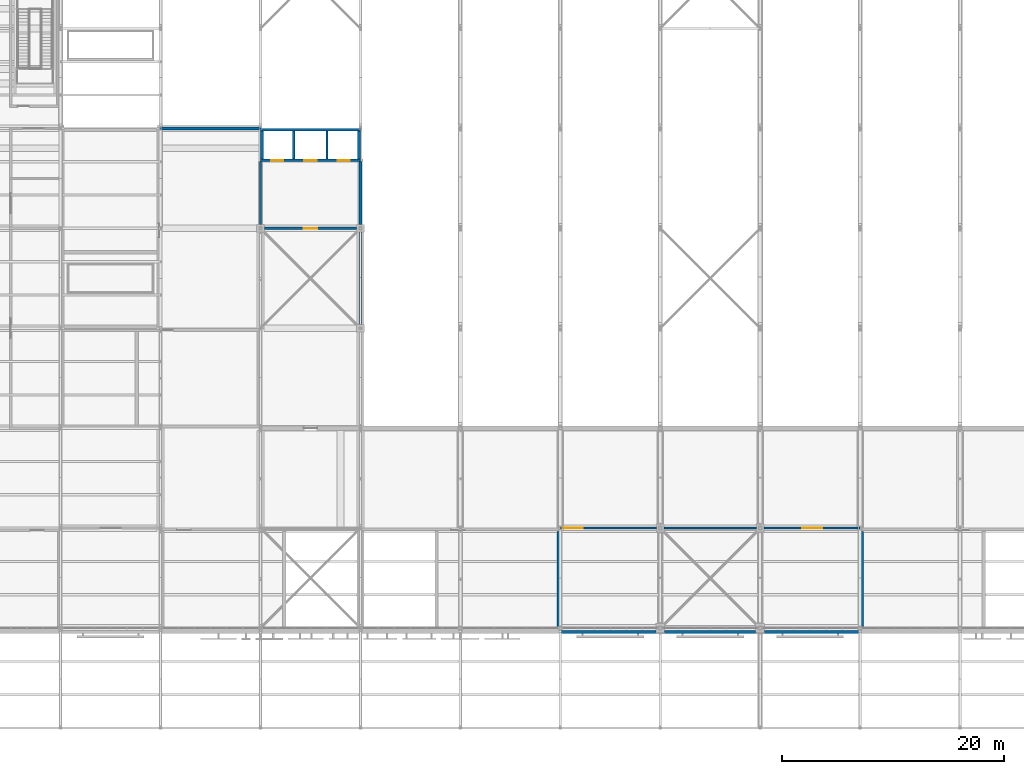
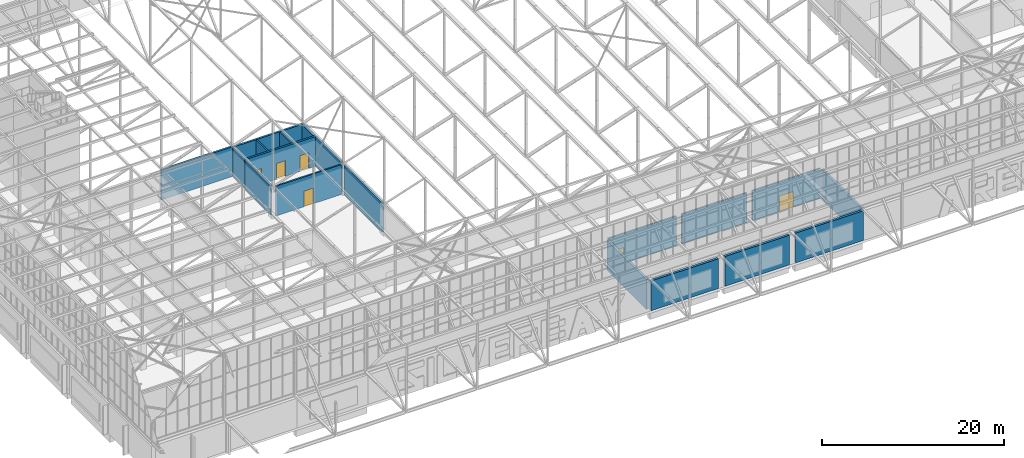
# One storey, part 166 of 646: 19 walls, 6 doors, 6 openings.
"""IFC4 building model written with IfcOpenShell, lengths in metres."""

from ifc_helpers import new_model, si_unit, direction, frame, frame_2d, origin, place, context, subcontext, project, spatial, rectangle, extrude, material, layer, layer_set, type_object, element, fill, save


model = new_model("IFC4")

# Units and contexts
model_context = context("Model", 3, precision=1e-05, world=origin(), true_north=direction((0.0, 1.0)))
body_context = subcontext(model_context, "Body", "Model", "MODEL_VIEW")
ifc_project = project(units=[si_unit("LENGTHUNIT", "METRE"), si_unit("AREAUNIT", "SQUARE_METRE"), si_unit("VOLUMEUNIT", "CUBIC_METRE"), si_unit("PLANEANGLEUNIT", "RADIAN"), si_unit("MASSUNIT", "GRAM", prefix="KILO")], contexts=[model_context])

# Site, building, storey
site_placement = place(None, origin())
site = spatial("IfcSite", under=ifc_project, at=site_placement, CompositionType="ELEMENT")
building_placement = place(site_placement, origin())
building = spatial("IfcBuilding", under=site, at=building_placement, Name="Silverbay Arena", CompositionType="ELEMENT")
storey_placement = place(building_placement, frame((0.0, 0.0, 33.5)))
storey = spatial("IfcBuildingStorey", under=building, at=storey_placement, Name="L05", CompositionType="ELEMENT", Elevation=33.5)

# Walls
ifc_material_1 = material(Name="Anodised aluminium cladding on insulated backing", Category="aluminium")
ifc_layer_1 = layer(ifc_material_1, 0.300048828125)
ifc_layer_set_1 = layer_set([ifc_layer_1], Name="Anodised aluminium cladding on insulated backing")
wall_type_1 = type_object("IfcWallType", Name="Aluminium clad wall 300 EI 120", PredefinedType="SOLIDWALL", material=ifc_layer_set_1)
wall_1_placement = place(storey_placement, frame((117.0, 17.64990234375, 0.0), z_axis=(0.0, 0.0, 1.0), x_axis=(1.0, 0.0, 0.0)))
element("IfcWall", 1, at=wall_1_placement, inside=storey, type_object=wall_type_1, Name="South external wall L05 bay 8", PredefinedType="SOLIDWALL", context=body_context, shape_type="SweptSolid", body=[
    extrude(rectangle(XDim=8.60009765625, YDim=0.300048828125, at=frame_2d((4.300048828125, 0.0))), origin(), (0.0, 0.0, 1.0), 4.0),
])
wall_2_placement = place(storey_placement, frame((126.39990234375, 17.64990234375, 0.0), z_axis=(0.0, 0.0, 1.0), x_axis=(1.0, 0.0, 0.0)))
element("IfcWall", 2, at=wall_2_placement, inside=storey, type_object=wall_type_1, Name="South external wall L05 bay 9", PredefinedType="SOLIDWALL", context=body_context, shape_type="SweptSolid", body=[
    extrude(rectangle(XDim=8.2001953125, YDim=0.300048828125, at=frame_2d((4.10009765625, 0.0))), origin(), (0.0, 0.0, 1.0), 4.0),
])
wall_3_placement = place(storey_placement, frame((135.39990234375, 17.64990234375, 0.0), z_axis=(0.0, 0.0, 1.0), x_axis=(1.0, 0.0, 0.0)))
element("IfcWall", 3, at=wall_3_placement, inside=storey, type_object=wall_type_1, Name="South external wall L05 bay 10", PredefinedType="SOLIDWALL", context=body_context, shape_type="SweptSolid", body=[
    extrude(rectangle(XDim=8.60009765625, YDim=0.300048828125, at=frame_2d((4.300048828125, 0.0))), origin(), (0.0, 0.0, 1.0), 4.0),
])
ifc_material_2 = material(Name="Concrete Grade C45", Category="concrete")
ifc_layer_2 = layer(ifc_material_2, 0.25)
ifc_layer_set_2 = layer_set([ifc_layer_2], Name="Concrete Grade C45")
wall_type_2 = type_object("IfcWallType", Name="Bowl enclosure wall RC 250 EI 120", PredefinedType="SOLIDWALL", material=ifc_layer_set_2)
wall_4_placement = place(storey_placement, frame((99.0, 45.35009765625, 0.0), z_axis=(0.0, 0.0, 1.0), x_axis=(0.0, 1.0, 0.0)))
element("IfcWall", 4, at=wall_4_placement, inside=storey, type_object=wall_type_2, Name="Bowl enclosure wall, corner block SW-x", PredefinedType="SOLIDWALL", context=body_context, shape_type="SweptSolid", body=[
    extrude(rectangle(XDim=8.2998046875, YDim=0.25, at=frame_2d((4.14990234375, 0.0))), origin(), (0.0, 0.0, 1.0), 4.0),
])
wall_5_placement = place(storey_placement, frame((99.0, 54.35009765625, 0.0), z_axis=(0.0, 0.0, 1.0), x_axis=(0.0, 1.0, 0.0)))
element("IfcWall", 5, at=wall_5_placement, inside=storey, type_object=wall_type_2, Name="Bowl enclosure wall, corner block SW-x", PredefinedType="SOLIDWALL", context=body_context, shape_type="SweptSolid", body=[
    extrude(rectangle(XDim=5.64990234375, YDim=0.25, at=frame_2d((2.824951171875, 0.0))), origin(), (0.0, 0.0, 1.0), 4.0),
])
wall_6_placement = place(storey_placement, frame((81.0, 63.0, 0.0), z_axis=(0.0, 0.0, 1.0), x_axis=(1.0, 0.0, 0.0)))
element("IfcWall", 6, at=wall_6_placement, inside=storey, type_object=wall_type_2, Name="Bowl enclosure wall, corner block SW-y", PredefinedType="SOLIDWALL", context=body_context, shape_type="SweptSolid", body=[
    extrude(rectangle(XDim=9.0, YDim=0.25, at=frame_2d((4.5, 0.0))), origin(), (0.0, 0.0, 1.0), 4.0),
])
ifc_material_3 = material(Name="Concrete Grade C45", Category="concrete")
ifc_layer_3 = layer(ifc_material_3, 0.300048828125)
ifc_layer_set_3 = layer_set([ifc_layer_3], Name="Concrete Grade C45")
wall_type_3 = type_object("IfcWallType", Name="Core wall RC 300 EI 120", PredefinedType="SHEAR", material=ifc_layer_set_3)
for number, where, z_axis, x_axis, name in (
    (7, (116.85009765625, 26.699951171875, 0.0), (0.0, 0.0, 1.0), (0.0, -1.0, 0.0), "Core wall ST-S2 L05 end 1"),
    (8, (144.14990234375, 26.699951171875, 0.0), (0.0, 0.0, 1.0), (0.0, -1.0, 0.0), "Core wall ST-S3 L05 end 1"),
):
    element("IfcWall", number, at=place(storey_placement, frame(where, z_axis=z_axis, x_axis=x_axis)), inside=storey, type_object=wall_type_3, Name=name, PredefinedType="SHEAR", context=body_context, shape_type="SweptSolid", body=[
        extrude(rectangle(XDim=8.699951171875, YDim=0.300048828125, at=frame_2d((4.35009765625, 0.0))), origin(), (0.0, 0.0, 1.0), 4.0),
    ])
ifc_material_4 = material(Name="Concrete Grade C45", Category="concrete")
ifc_layer_4 = layer(ifc_material_4, 0.199951171875)
ifc_layer_set_4 = layer_set([ifc_layer_4], Name="Concrete Grade C45")
wall_type_4 = type_object("IfcWallType", Name="Lift shaft divider RC 200 EI 120", PredefinedType="SHEAR", material=ifc_layer_set_4)
for number, where, z_axis, x_axis, name in (
    (9, (93.0, 60.25, 0.0), (0.0, 0.0, 1.0), (0.0, 1.0, 0.0), "Lift shaft divider LB-SW L05 1"),
    (10, (96.0, 60.25, 0.0), (0.0, 0.0, 1.0), (0.0, 1.0, 0.0), "Lift shaft divider LB-SW L05 2"),
):
    element("IfcWall", number, at=place(storey_placement, frame(where, z_axis=z_axis, x_axis=x_axis)), inside=storey, type_object=wall_type_4, Name=name, PredefinedType="SHEAR", context=body_context, shape_type="SweptSolid", body=[
        extrude(rectangle(XDim=2.5, YDim=0.199951171875, at=frame_2d((1.25, 0.0))), origin(), (0.0, 0.0, 1.0), 4.0),
    ])

# Wall, openings, doors
ifc_material_5 = material(Name="Concrete Grade C45", Category="concrete")
ifc_layer_5 = layer(ifc_material_5, 0.25)
ifc_layer_set_5 = layer_set([ifc_layer_5], Name="Concrete Grade C45")
wall_type_5 = type_object("IfcWallType", Name="Lift shaft wall RC 250 EI 120", PredefinedType="SHEAR", material=ifc_layer_set_5)
wall_7_placement = place(storey_placement, frame((90.0, 60.125, 0.0), z_axis=(0.0, 0.0, 1.0), x_axis=(1.0, 0.0, 0.0)))
wall_7 = element("IfcWall", 11, at=wall_7_placement, inside=storey, type_object=wall_type_5, Name="Lift shaft wall LB-SW L05 landing side", PredefinedType="SHEAR", context=body_context, shape_type="SweptSolid", body=[
    extrude(rectangle(XDim=9.0, YDim=0.25, at=frame_2d((4.5, 0.0))), origin(), (0.0, 0.0, 1.0), 4.0),
])
opening_1_placement = place(wall_7_placement, frame((0.949951171875, 0.0, 0.0)))
opening_1 = element("IfcOpeningElement", 12, at=opening_1_placement, cuts=wall_7, Name="Opening L05-051", PredefinedType="OPENING", context=body_context, shape_type="SweptSolid", body=[
    extrude(rectangle(XDim=1.10009765625, YDim=2.10009765625, at=frame_2d((0.550048828125, 1.050048828125))), frame((0.0, 0.135009765625, 0.0), z_axis=(0.0, -1.0, 0.0), x_axis=(1.0, 0.0, 0.0)), (0.0, 0.0, 1.0), 0.27001953125),
])
opening_2_placement = place(wall_7_placement, frame((3.949951171875, 0.0, 0.0)))
opening_2 = element("IfcOpeningElement", 13, at=opening_2_placement, cuts=wall_7, Name="Opening L05-052", PredefinedType="OPENING", context=body_context, shape_type="SweptSolid", body=[
    extrude(rectangle(XDim=1.10009765625, YDim=2.10009765625, at=frame_2d((0.550048828125, 1.050048828125))), frame((0.0, 0.135009765625, 0.0), z_axis=(0.0, -1.0, 0.0), x_axis=(1.0, 0.0, 0.0)), (0.0, 0.0, 1.0), 0.27001953125),
])
opening_3_placement = place(wall_7_placement, frame((6.949951171875, 0.0, 0.0)))
opening_3 = element("IfcOpeningElement", 14, at=opening_3_placement, cuts=wall_7, Name="Opening L05-053", PredefinedType="OPENING", context=body_context, shape_type="SweptSolid", body=[
    extrude(rectangle(XDim=1.10009765625, YDim=2.10009765625, at=frame_2d((0.550048828125, 1.050048828125))), frame((0.0, 0.135009765625, 0.0), z_axis=(0.0, -1.0, 0.0), x_axis=(1.0, 0.0, 0.0)), (0.0, 0.0, 1.0), 0.27001953125),
])
ifc_material_6 = material(Name="Stainless steel", Category="steel")
door_type_1 = type_object("IfcDoorType", Name="LD1 lift landing door 1100 x 2100", OperationType="DOUBLE_DOOR_SLIDING", PredefinedType="DOOR", material=ifc_material_6)
door_1_placement = place(opening_1_placement, origin())
door_1 = element("IfcDoor", 15, at=door_1_placement, inside=storey, type_object=door_type_1, Name="Lift landing door LF2 L05", OperationType="DOUBLE_DOOR_SLIDING", OverallHeight=2.10009765625, OverallWidth=1.10009765625, PredefinedType="DOOR", context=body_context, shape_type="SweptSolid", body=[
    extrude(rectangle(XDim=1.10009765625, YDim=2.10009765625, at=frame_2d((0.550048828125, 1.050048828125))), frame((0.0, 0.02490234375, 0.0), z_axis=(0.0, -1.0, 0.0), x_axis=(1.0, 0.0, 0.0)), (0.0, 0.0, 1.0), 0.050048828125),
])
fill(opening_1, door_1)
door_2_placement = place(opening_2_placement, origin())
door_2 = element("IfcDoor", 16, at=door_2_placement, inside=storey, type_object=door_type_1, Name="Lift landing door LF4 L05", OperationType="DOUBLE_DOOR_SLIDING", OverallHeight=2.10009765625, OverallWidth=1.10009765625, PredefinedType="DOOR", context=body_context, shape_type="SweptSolid", body=[
    extrude(rectangle(XDim=1.10009765625, YDim=2.10009765625, at=frame_2d((0.550048828125, 1.050048828125))), frame((0.0, 0.02490234375, 0.0), z_axis=(0.0, -1.0, 0.0), x_axis=(1.0, 0.0, 0.0)), (0.0, 0.0, 1.0), 0.050048828125),
])
fill(opening_2, door_2)
door_3_placement = place(opening_3_placement, origin())
door_3 = element("IfcDoor", 17, at=door_3_placement, inside=storey, type_object=door_type_1, Name="Lift landing door LF5 L05", OperationType="DOUBLE_DOOR_SLIDING", OverallHeight=2.10009765625, OverallWidth=1.10009765625, PredefinedType="DOOR", context=body_context, shape_type="SweptSolid", body=[
    extrude(rectangle(XDim=1.10009765625, YDim=2.10009765625, at=frame_2d((0.550048828125, 1.050048828125))), frame((0.0, 0.02490234375, 0.0), z_axis=(0.0, -1.0, 0.0), x_axis=(1.0, 0.0, 0.0)), (0.0, 0.0, 1.0), 0.050048828125),
])
fill(opening_3, door_3)

# Walls
wall_8_placement = place(storey_placement, frame((90.0, 62.875, 0.0), z_axis=(0.0, 0.0, 1.0), x_axis=(1.0, 0.0, 0.0)))
element("IfcWall", 18, at=wall_8_placement, inside=storey, type_object=wall_type_5, Name="Lift shaft wall LB-SW L05 back", PredefinedType="SHEAR", context=body_context, shape_type="SweptSolid", body=[
    extrude(rectangle(XDim=9.0, YDim=0.25, at=frame_2d((4.5, 0.0))), origin(), (0.0, 0.0, 1.0), 4.0),
])
for number, where, z_axis, x_axis, name in (
    (19, (90.125, 60.25, 0.0), (0.0, 0.0, 1.0), (0.0, 1.0, 0.0), "Lift shaft wall LB-SW L05 end"),
    (20, (98.875, 60.25, 0.0), (0.0, 0.0, 1.0), (0.0, 1.0, 0.0), "Lift shaft wall LB-SW L05 end"),
):
    element("IfcWall", number, at=place(storey_placement, frame(where, z_axis=z_axis, x_axis=x_axis)), inside=storey, type_object=wall_type_5, Name=name, PredefinedType="SHEAR", context=body_context, shape_type="SweptSolid", body=[
        extrude(rectangle(XDim=2.5, YDim=0.25, at=frame_2d((1.25, 0.0))), origin(), (0.0, 0.0, 1.0), 4.0),
    ])

# Wall, opening, door
ifc_material_7 = material(Name="Masonry blockwork partition", Category="masonry")
ifc_layer_6 = layer(ifc_material_7, 0.199951171875)
ifc_layer_set_6 = layer_set([ifc_layer_6], Name="Masonry blockwork partition")
wall_type_6 = type_object("IfcWallType", Name="Partition 200 EI 120", PredefinedType="PARTITIONING", material=ifc_layer_set_6)
wall_9_placement = place(storey_placement, frame((135.35009765625, 27.0, 0.0), z_axis=(0.0, 0.0, 1.0), x_axis=(1.0, 0.0, 0.0)))
wall_9 = element("IfcWall", 21, at=wall_9_placement, inside=storey, type_object=wall_type_6, Name="Partition wall", PredefinedType="PARTITIONING", context=body_context, shape_type="SweptSolid", body=[
    extrude(rectangle(XDim=8.64990234375, YDim=0.199951171875, at=frame_2d((4.324951171875, 0.0))), origin(), (0.0, 0.0, 1.0), 4.0),
])
opening_4_placement = place(wall_9_placement, frame((3.425048828125, 0.0, 0.0)))
opening_4 = element("IfcOpeningElement", 22, at=opening_4_placement, cuts=wall_9, Name="Opening L05-002", PredefinedType="OPENING", context=body_context, shape_type="SweptSolid", body=[
    extrude(rectangle(XDim=1.800048828125, YDim=2.10009765625, at=frame_2d((0.89990234375, 1.050048828125))), frame((0.0, 0.10986328125, 0.0), z_axis=(0.0, -1.0, 0.0), x_axis=(1.0, 0.0, 0.0)), (0.0, 0.0, 1.0), 0.219970703125),
])
ifc_material_8 = material(Name="Steel faced timber", Category="steel")
door_type_2 = type_object("IfcDoorType", Name="Double leaf door 1800 x 2100 FD120", OperationType="DOUBLE_DOOR_DOUBLE_SWING", PredefinedType="DOOR", material=ifc_material_8)
door_4_placement = place(opening_4_placement, frame((1.800048828125, 0.0, 0.0), z_axis=(0.0, 0.0, 1.0), x_axis=(-1.0, 0.0, 0.0)))
door_4 = element("IfcDoor", 23, at=door_4_placement, inside=storey, type_object=door_type_2, Name="Door L05-002", OperationType="DOUBLE_DOOR_DOUBLE_SWING", OverallHeight=2.10009765625, OverallWidth=1.800048828125, PredefinedType="DOOR", context=body_context, shape_type="SweptSolid", body=[
    extrude(rectangle(XDim=1.800048828125, YDim=2.10009765625, at=frame_2d((0.89990234375, 1.050048828125))), frame((0.0, 0.02490234375, 0.0), z_axis=(0.0, -1.0, 0.0), x_axis=(1.0, 0.0, 0.0)), (0.0, 0.0, 1.0), 0.050048828125),
])
fill(opening_4, door_4)

# Wall
wall_10_placement = place(storey_placement, frame((126.35009765625, 27.0, 0.0), z_axis=(0.0, 0.0, 1.0), x_axis=(1.0, 0.0, 0.0)))
element("IfcWall", 24, at=wall_10_placement, inside=storey, type_object=wall_type_6, Name="Partition wall", PredefinedType="PARTITIONING", context=body_context, shape_type="SweptSolid", body=[
    extrude(rectangle(XDim=8.2998046875, YDim=0.199951171875, at=frame_2d((4.14990234375, 0.0))), origin(), (0.0, 0.0, 1.0), 4.0),
])

# Wall, opening, door
wall_11_placement = place(storey_placement, frame((117.0, 27.0, 0.0), z_axis=(0.0, 0.0, 1.0), x_axis=(1.0, 0.0, 0.0)))
wall_11 = element("IfcWall", 25, at=wall_11_placement, inside=storey, type_object=wall_type_6, Name="Partition wall", PredefinedType="PARTITIONING", context=body_context, shape_type="SweptSolid", body=[
    extrude(rectangle(XDim=8.64990234375, YDim=0.199951171875, at=frame_2d((4.324951171875, 0.0))), origin(), (0.0, 0.0, 1.0), 4.0),
])
opening_5_placement = place(wall_11_placement, frame((0.199951171875, 0.0, 0.0)))
opening_5 = element("IfcOpeningElement", 26, at=opening_5_placement, cuts=wall_11, Name="Opening L05-025", PredefinedType="OPENING", context=body_context, shape_type="SweptSolid", body=[
    extrude(rectangle(XDim=1.800048828125, YDim=2.10009765625, at=frame_2d((0.89990234375, 1.050048828125))), frame((0.0, 0.10986328125, 0.0), z_axis=(0.0, -1.0, 0.0), x_axis=(1.0, 0.0, 0.0)), (0.0, 0.0, 1.0), 0.219970703125),
])
door_5_placement = place(opening_5_placement, frame((1.800048828125, 0.0, 0.0), z_axis=(0.0, 0.0, 1.0), x_axis=(-1.0, 0.0, 0.0)))
door_5 = element("IfcDoor", 27, at=door_5_placement, inside=storey, type_object=door_type_2, Name="Door L05-025", OperationType="DOUBLE_DOOR_DOUBLE_SWING", OverallHeight=2.10009765625, OverallWidth=1.800048828125, PredefinedType="DOOR", context=body_context, shape_type="SweptSolid", body=[
    extrude(rectangle(XDim=1.800048828125, YDim=2.10009765625, at=frame_2d((0.89990234375, 1.050048828125))), frame((0.0, 0.02490234375, 0.0), z_axis=(0.0, -1.0, 0.0), x_axis=(1.0, 0.0, 0.0)), (0.0, 0.0, 1.0), 0.050048828125),
])
fill(opening_5, door_5)

wall_12_placement = place(storey_placement, frame((90.35009765625, 54.0, 0.0), z_axis=(0.0, 0.0, 1.0), x_axis=(1.0, 0.0, 0.0)))
wall_12 = element("IfcWall", 28, at=wall_12_placement, inside=storey, type_object=wall_type_6, Name="Partition wall", PredefinedType="PARTITIONING", context=body_context, shape_type="SweptSolid", body=[
    extrude(rectangle(XDim=8.2998046875, YDim=0.199951171875, at=frame_2d((4.14990234375, 0.0))), origin(), (0.0, 0.0, 1.0), 4.0),
])
opening_6_placement = place(wall_12_placement, frame((3.550048828125, 0.0, 0.0)))
opening_6 = element("IfcOpeningElement", 29, at=opening_6_placement, cuts=wall_12, Name="Opening L05-021", PredefinedType="OPENING", context=body_context, shape_type="SweptSolid", body=[
    extrude(rectangle(XDim=1.199951171875, YDim=2.10009765625, at=frame_2d((0.60009765625, 1.050048828125))), frame((0.0, 0.10986328125, 0.0), z_axis=(0.0, -1.0, 0.0), x_axis=(1.0, 0.0, 0.0)), (0.0, 0.0, 1.0), 0.219970703125),
])
ifc_material_9 = material(Name="Steel faced timber", Category="steel")
door_type_3 = type_object("IfcDoorType", Name="Single leaf door 1200 x 2100 FD60", OperationType="SINGLE_SWING_LEFT", PredefinedType="DOOR", material=ifc_material_9)
door_6_placement = place(opening_6_placement, frame((1.199951171875, 0.0, 0.0), z_axis=(0.0, 0.0, 1.0), x_axis=(-1.0, 0.0, 0.0)))
door_6 = element("IfcDoor", 30, at=door_6_placement, inside=storey, type_object=door_type_3, Name="Door L05-021", OperationType="SINGLE_SWING_RIGHT", OverallHeight=2.10009765625, OverallWidth=1.199951171875, PredefinedType="DOOR", context=body_context, shape_type="SweptSolid", body=[
    extrude(rectangle(XDim=1.199951171875, YDim=2.10009765625, at=frame_2d((0.60009765625, 1.050048828125))), frame((0.0, 0.02490234375, 0.0), z_axis=(0.0, -1.0, 0.0), x_axis=(1.0, 0.0, 0.0)), (0.0, 0.0, 1.0), 0.050048828125),
])
fill(opening_6, door_6)

# Wall
wall_13_placement = place(storey_placement, frame((90.0, 54.35009765625, 0.0), z_axis=(0.0, 0.0, 1.0), x_axis=(0.0, 1.0, 0.0)))
element("IfcWall", 31, at=wall_13_placement, inside=storey, type_object=wall_type_6, Name="Partition wall", PredefinedType="PARTITIONING", context=body_context, shape_type="SweptSolid", body=[
    extrude(rectangle(XDim=5.64990234375, YDim=0.199951171875, at=frame_2d((2.824951171875, 0.0))), origin(), (0.0, 0.0, 1.0), 4.0),
])

save(model, "model.ifc")
